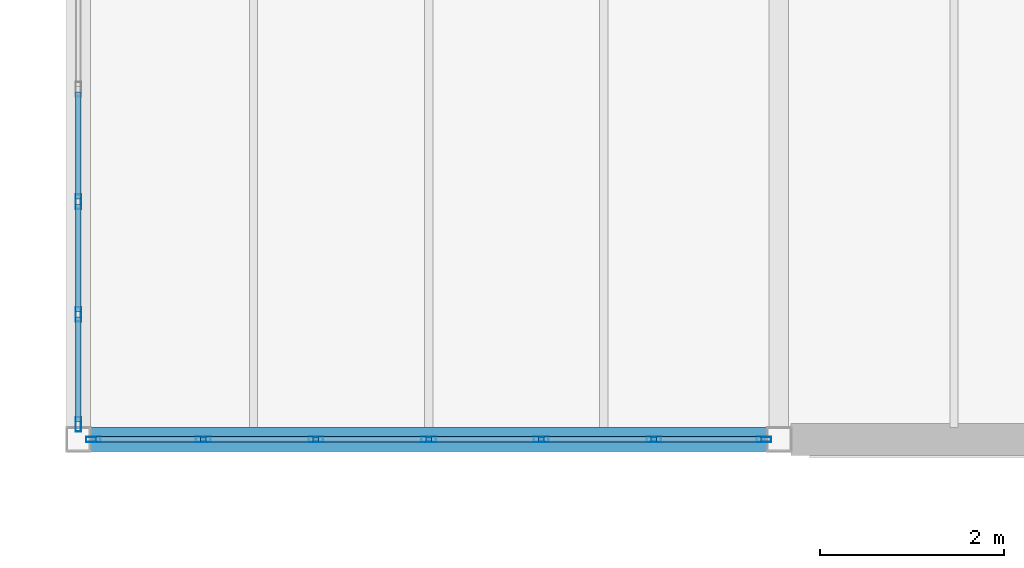
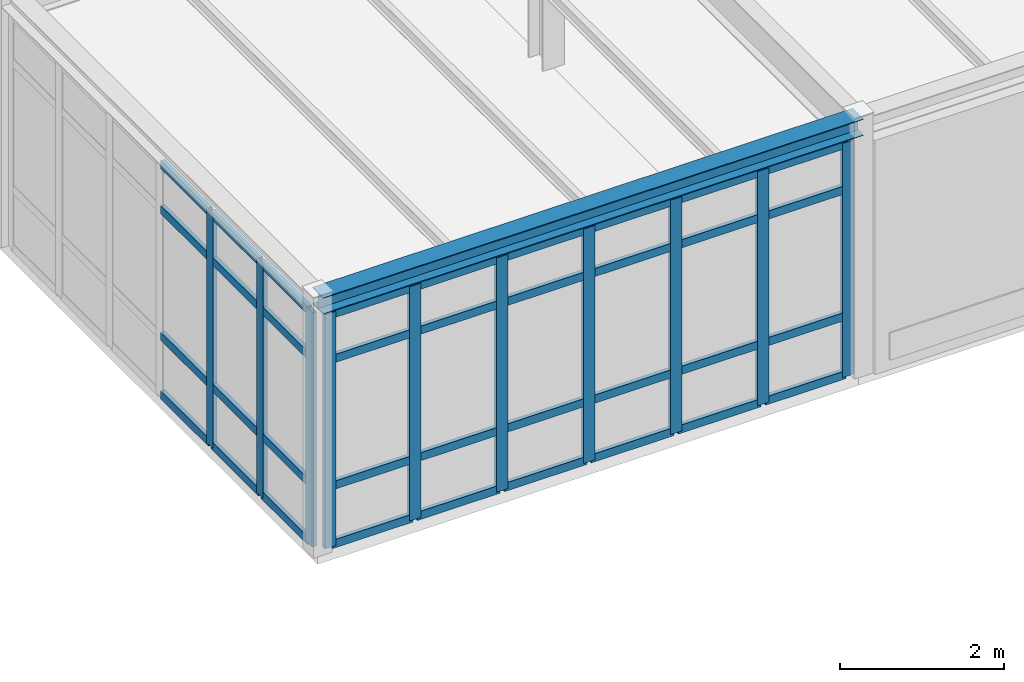
# One storey, part 57 of 189: 46 members, 1 beam, 2 elements without a shape of their own.
"""IFC4 building model written with IfcOpenShell, lengths in metres."""

from ifc_helpers import new_model, si_unit, direction, frame, origin, origin_2d, place, context, subcontext, project, spatial, hollow_rectangle, i_section, extrude, material, layer, layer_set, material_profile, profile_set, type_object, element, aggregate, save


model = new_model("IFC4")

# Units and contexts
model_context = context("Model", 3, precision=1e-05, world=origin(), true_north=direction((0.0, 1.0)))
body_context = subcontext(model_context, "Body", "Model", "MODEL_VIEW")
ifc_project = project(units=[si_unit("LENGTHUNIT", "METRE"), si_unit("AREAUNIT", "SQUARE_METRE"), si_unit("VOLUMEUNIT", "CUBIC_METRE"), si_unit("PLANEANGLEUNIT", "RADIAN"), si_unit("MASSUNIT", "GRAM", prefix="KILO")], contexts=[model_context])

# Site, building, storey
site_placement = place(None, origin())
site = spatial("IfcSite", under=ifc_project, at=site_placement, CompositionType="ELEMENT")
building_placement = place(site_placement, origin())
building = spatial("IfcBuilding", under=site, at=building_placement, Name="Montecoro Central Library", CompositionType="ELEMENT")
storey_placement = place(building_placement, frame((0.0, 0.0, 9.179931640625)))
storey = spatial("IfcBuildingStorey", under=building, at=storey_placement, Name="L02", CompositionType="ELEMENT", Elevation=9.179931640625)

# Beam
ifc_material_1 = material(Name="Steel S355", Category="steel")
ifc_material_profile_1 = material_profile(ifc_material_1, i_section(OverallWidth=0.260009765625, OverallDepth=0.25, WebThickness=0.007568359375, FlangeThickness=0.012451171875, at=origin_2d()), Name="HEA 260")
ifc_profile_set_1 = profile_set([ifc_material_profile_1], Name="Steel S355")
beam_type = type_object("IfcBeamType", Name="BM-SP-HEA260", PredefinedType="SPANDREL", material=ifc_profile_set_1)
beam_placement = place(storey_placement, frame((5.0048828125, 73.39990234375, 3.699951171875), z_axis=(1.0, 0.0, 0.0), x_axis=(0.0, 1.0, 0.0)))
element("IfcBeam", 1, at=beam_placement, inside=storey, type_object=beam_type, Name="V4-L02-BX-12-K", PredefinedType="SPANDREL", context=body_context, shape_type="SweptSolid", body=[
    extrude(i_section(OverallWidth=0.260009765625, OverallDepth=0.25, WebThickness=0.007568359375, FlangeThickness=0.012451171875, at=origin_2d()), origin(), (0.0, 0.0, 1.0), 7.590087890625),
])

# Curtain wall, members
ifc_material_2 = material(Name="Bronze-anodised aluminium and low-E glazing", Category="aluminium")
ifc_layer_1 = layer(ifc_material_2, 0.159912109375)
ifc_layer_set_1 = layer_set([ifc_layer_1], Name="Bronze-anodised aluminium and low-E glazing")
curtain_wall_type_1 = type_object("IfcCurtainWallType", Name="CWT-046", PredefinedType="NOTDEFINED", material=ifc_layer_set_1)
curtain_wall_1_placement = place(storey_placement, origin())
curtain_wall_1 = element("IfcCurtainWall", 2, at=curtain_wall_1_placement, inside=storey, type_object=curtain_wall_type_1, Name="V4-L02-CW-S0", PredefinedType="NOTDEFINED")
ifc_material_3 = material(Name="Bronze-anodised aluminium", Category="aluminium")
ifc_material_profile_2 = material_profile(ifc_material_3, hollow_rectangle(XDim=0.06005859375, YDim=0.159912109375, WallThickness=0.00390625, at=origin_2d()), Name="CWM 160x60x4.0")
ifc_profile_set_2 = profile_set([ifc_material_profile_2], Name="Bronze-anodised aluminium")
member_type_1 = type_object("IfcMemberType", Name="CWM-BRZ-60", PredefinedType="MULLION", material=ifc_profile_set_2)
member_1_placement = place(storey_placement, frame((5.1630859375, 73.39990234375, 0.0), z_axis=(0.0, 0.0, 1.0), x_axis=(0.0, 1.0, 0.0)))
member_1 = element("IfcMember", 3, at=member_1_placement, type_object=member_type_1, Name="CW-046 mullion 1", PredefinedType="MULLION", context=body_context, shape_type="SweptSolid", body=[
    extrude(hollow_rectangle(XDim=0.06005859375, YDim=0.159912109375, WallThickness=0.00390625, at=origin_2d()), origin(), (0.0, 0.0, 1.0), 3.47998046875),
])
member_2_placement = place(storey_placement, frame((6.355224609375, 73.39990234375, 0.0), z_axis=(0.0, 0.0, 1.0), x_axis=(0.0, 1.0, 0.0)))
member_2 = element("IfcMember", 4, at=member_2_placement, type_object=member_type_1, Name="CW-046 mullion 2", PredefinedType="MULLION", context=body_context, shape_type="SweptSolid", body=[
    extrude(hollow_rectangle(XDim=0.06005859375, YDim=0.159912109375, WallThickness=0.00390625, at=origin_2d()), origin(), (0.0, 0.0, 1.0), 3.47998046875),
])
member_3_placement = place(storey_placement, frame((7.57763671875, 73.39990234375, 0.0), z_axis=(0.0, 0.0, 1.0), x_axis=(0.0, 1.0, 0.0)))
member_3 = element("IfcMember", 5, at=member_3_placement, type_object=member_type_1, Name="CW-046 mullion 3", PredefinedType="MULLION", context=body_context, shape_type="SweptSolid", body=[
    extrude(hollow_rectangle(XDim=0.06005859375, YDim=0.159912109375, WallThickness=0.00390625, at=origin_2d()), origin(), (0.0, 0.0, 1.0), 3.47998046875),
])
member_4_placement = place(storey_placement, frame((8.800048828125, 73.39990234375, 0.0), z_axis=(0.0, 0.0, 1.0), x_axis=(0.0, 1.0, 0.0)))
member_4 = element("IfcMember", 6, at=member_4_placement, type_object=member_type_1, Name="CW-046 mullion 4", PredefinedType="MULLION", context=body_context, shape_type="SweptSolid", body=[
    extrude(hollow_rectangle(XDim=0.06005859375, YDim=0.159912109375, WallThickness=0.00390625, at=origin_2d()), origin(), (0.0, 0.0, 1.0), 3.47998046875),
])
member_5_placement = place(storey_placement, frame((10.022216796875, 73.39990234375, 0.0), z_axis=(0.0, 0.0, 1.0), x_axis=(0.0, 1.0, 0.0)))
member_5 = element("IfcMember", 7, at=member_5_placement, type_object=member_type_1, Name="CW-046 mullion 5", PredefinedType="MULLION", context=body_context, shape_type="SweptSolid", body=[
    extrude(hollow_rectangle(XDim=0.06005859375, YDim=0.159912109375, WallThickness=0.00390625, at=origin_2d()), origin(), (0.0, 0.0, 1.0), 3.47998046875),
])
member_6_placement = place(storey_placement, frame((11.24462890625, 73.39990234375, 0.0), z_axis=(0.0, 0.0, 1.0), x_axis=(0.0, 1.0, 0.0)))
member_6 = element("IfcMember", 8, at=member_6_placement, type_object=member_type_1, Name="CW-046 mullion 6", PredefinedType="MULLION", context=body_context, shape_type="SweptSolid", body=[
    extrude(hollow_rectangle(XDim=0.06005859375, YDim=0.159912109375, WallThickness=0.00390625, at=origin_2d()), origin(), (0.0, 0.0, 1.0), 3.47998046875),
])
member_7_placement = place(storey_placement, frame((12.43701171875, 73.39990234375, 0.0), z_axis=(0.0, 0.0, 1.0), x_axis=(0.0, 1.0, 0.0)))
member_7 = element("IfcMember", 9, at=member_7_placement, type_object=member_type_1, Name="CW-046 mullion 7", PredefinedType="MULLION", context=body_context, shape_type="SweptSolid", body=[
    extrude(hollow_rectangle(XDim=0.06005859375, YDim=0.159912109375, WallThickness=0.00390625, at=origin_2d()), origin(), (0.0, 0.0, 1.0), 3.47998046875),
])

ifc_layer_2 = layer(ifc_material_2, 0.159912109375)
ifc_layer_set_2 = layer_set([ifc_layer_2], Name="Bronze-anodised aluminium and low-E glazing")
curtain_wall_type_2 = type_object("IfcCurtainWallType", Name="CWT-049", PredefinedType="NOTDEFINED", material=ifc_layer_set_2)
curtain_wall_2_placement = place(storey_placement, origin())
curtain_wall_2 = element("IfcCurtainWall", 10, at=curtain_wall_2_placement, inside=storey, type_object=curtain_wall_type_2, Name="V4-L02-CW-W0", PredefinedType="NOTDEFINED")
member_8_placement = place(storey_placement, frame((5.0, 75.977783203125, 0.0), z_axis=(0.0, 0.0, 1.0), x_axis=(1.0, 0.0, 0.0)))
member_8 = element("IfcMember", 11, at=member_8_placement, type_object=member_type_1, Name="CW-049 mullion 5", PredefinedType="MULLION", context=body_context, shape_type="SweptSolid", body=[
    extrude(hollow_rectangle(XDim=0.06005859375, YDim=0.159912109375, WallThickness=0.00390625, at=origin_2d()), origin(), (0.0, 0.0, 1.0), 3.47998046875),
])
member_9_placement = place(storey_placement, frame((5.0, 74.75537109375, 0.0), z_axis=(0.0, 0.0, 1.0), x_axis=(1.0, 0.0, 0.0)))
member_9 = element("IfcMember", 12, at=member_9_placement, type_object=member_type_1, Name="CW-049 mullion 6", PredefinedType="MULLION", context=body_context, shape_type="SweptSolid", body=[
    extrude(hollow_rectangle(XDim=0.06005859375, YDim=0.159912109375, WallThickness=0.00390625, at=origin_2d()), origin(), (0.0, 0.0, 1.0), 3.47998046875),
])
member_10_placement = place(storey_placement, frame((5.0, 73.56298828125, 0.0), z_axis=(0.0, 0.0, 1.0), x_axis=(1.0, 0.0, 0.0)))
member_10 = element("IfcMember", 13, at=member_10_placement, type_object=member_type_1, Name="CW-049 mullion 7", PredefinedType="MULLION", context=body_context, shape_type="SweptSolid", body=[
    extrude(hollow_rectangle(XDim=0.06005859375, YDim=0.159912109375, WallThickness=0.00390625, at=origin_2d()), origin(), (0.0, 0.0, 1.0), 3.47998046875),
])

# Member
ifc_material_profile_3 = material_profile(ifc_material_3, hollow_rectangle(XDim=0.06005859375, YDim=0.1201171875, WallThickness=0.00390625, at=origin_2d()), Name="CWT 120x60x4.0")
ifc_profile_set_3 = profile_set([ifc_material_profile_3], Name="Bronze-anodised aluminium")
member_type_2 = type_object("IfcMemberType", Name="CWT-BRZ-60", PredefinedType="USERDEFINED", material=ifc_profile_set_3)
member_11_placement = place(storey_placement, frame((5.193115234375, 73.39990234375, 0.030029296875), z_axis=(1.0, 0.0, 0.0), x_axis=(0.0, 1.0, 0.0)))
member_11 = element("IfcMember", 14, at=member_11_placement, type_object=member_type_2, Name="CW-046 transom 1.1", ObjectType="TRANSOM", PredefinedType="USERDEFINED", context=body_context, shape_type="SweptSolid", body=[
    extrude(hollow_rectangle(XDim=0.06005859375, YDim=0.1201171875, WallThickness=0.00390625, at=origin_2d()), origin(), (0.0, 0.0, 1.0), 1.13232421875),
])

member_12_placement = place(storey_placement, frame((5.193115234375, 73.39990234375, 0.900146484375), z_axis=(1.0, 0.0, 0.0), x_axis=(0.0, 1.0, 0.0)))
member_12 = element("IfcMember", 15, at=member_12_placement, type_object=member_type_2, Name="CW-046 transom 1.2", ObjectType="TRANSOM", PredefinedType="USERDEFINED", context=body_context, shape_type="SweptSolid", body=[
    extrude(hollow_rectangle(XDim=0.06005859375, YDim=0.1201171875, WallThickness=0.00390625, at=origin_2d()), origin(), (0.0, 0.0, 1.0), 1.13232421875),
])

member_13_placement = place(storey_placement, frame((5.193115234375, 73.39990234375, 2.780029296875), z_axis=(1.0, 0.0, 0.0), x_axis=(0.0, 1.0, 0.0)))
member_13 = element("IfcMember", 16, at=member_13_placement, type_object=member_type_2, Name="CW-046 transom 1.3", ObjectType="TRANSOM", PredefinedType="USERDEFINED", context=body_context, shape_type="SweptSolid", body=[
    extrude(hollow_rectangle(XDim=0.06005859375, YDim=0.1201171875, WallThickness=0.00390625, at=origin_2d()), origin(), (0.0, 0.0, 1.0), 1.13232421875),
])

member_14_placement = place(storey_placement, frame((5.193115234375, 73.39990234375, 3.449951171875), z_axis=(1.0, 0.0, 0.0), x_axis=(0.0, 1.0, 0.0)))
member_14 = element("IfcMember", 17, at=member_14_placement, type_object=member_type_2, Name="CW-046 transom 1.4", ObjectType="TRANSOM", PredefinedType="USERDEFINED", context=body_context, shape_type="SweptSolid", body=[
    extrude(hollow_rectangle(XDim=0.06005859375, YDim=0.1201171875, WallThickness=0.00390625, at=origin_2d()), origin(), (0.0, 0.0, 1.0), 1.13232421875),
])

member_15_placement = place(storey_placement, frame((6.38525390625, 73.39990234375, 0.030029296875), z_axis=(1.0, 0.0, 0.0), x_axis=(0.0, 1.0, 0.0)))
member_15 = element("IfcMember", 18, at=member_15_placement, type_object=member_type_2, Name="CW-046 transom 2.1", ObjectType="TRANSOM", PredefinedType="USERDEFINED", context=body_context, shape_type="SweptSolid", body=[
    extrude(hollow_rectangle(XDim=0.06005859375, YDim=0.1201171875, WallThickness=0.00390625, at=origin_2d()), origin(), (0.0, 0.0, 1.0), 1.162353515625),
])

member_16_placement = place(storey_placement, frame((6.38525390625, 73.39990234375, 0.900146484375), z_axis=(1.0, 0.0, 0.0), x_axis=(0.0, 1.0, 0.0)))
member_16 = element("IfcMember", 19, at=member_16_placement, type_object=member_type_2, Name="CW-046 transom 2.2", ObjectType="TRANSOM", PredefinedType="USERDEFINED", context=body_context, shape_type="SweptSolid", body=[
    extrude(hollow_rectangle(XDim=0.06005859375, YDim=0.1201171875, WallThickness=0.00390625, at=origin_2d()), origin(), (0.0, 0.0, 1.0), 1.162353515625),
])

member_17_placement = place(storey_placement, frame((6.38525390625, 73.39990234375, 2.780029296875), z_axis=(1.0, 0.0, 0.0), x_axis=(0.0, 1.0, 0.0)))
member_17 = element("IfcMember", 20, at=member_17_placement, type_object=member_type_2, Name="CW-046 transom 2.3", ObjectType="TRANSOM", PredefinedType="USERDEFINED", context=body_context, shape_type="SweptSolid", body=[
    extrude(hollow_rectangle(XDim=0.06005859375, YDim=0.1201171875, WallThickness=0.00390625, at=origin_2d()), origin(), (0.0, 0.0, 1.0), 1.162353515625),
])

member_18_placement = place(storey_placement, frame((6.38525390625, 73.39990234375, 3.449951171875), z_axis=(1.0, 0.0, 0.0), x_axis=(0.0, 1.0, 0.0)))
member_18 = element("IfcMember", 21, at=member_18_placement, type_object=member_type_2, Name="CW-046 transom 2.4", ObjectType="TRANSOM", PredefinedType="USERDEFINED", context=body_context, shape_type="SweptSolid", body=[
    extrude(hollow_rectangle(XDim=0.06005859375, YDim=0.1201171875, WallThickness=0.00390625, at=origin_2d()), origin(), (0.0, 0.0, 1.0), 1.162353515625),
])

member_19_placement = place(storey_placement, frame((7.607666015625, 73.39990234375, 0.030029296875), z_axis=(1.0, 0.0, 0.0), x_axis=(0.0, 1.0, 0.0)))
member_19 = element("IfcMember", 22, at=member_19_placement, type_object=member_type_2, Name="CW-046 transom 3.1", ObjectType="TRANSOM", PredefinedType="USERDEFINED", context=body_context, shape_type="SweptSolid", body=[
    extrude(hollow_rectangle(XDim=0.06005859375, YDim=0.1201171875, WallThickness=0.00390625, at=origin_2d()), origin(), (0.0, 0.0, 1.0), 1.162353515625),
])

member_20_placement = place(storey_placement, frame((7.607666015625, 73.39990234375, 0.900146484375), z_axis=(1.0, 0.0, 0.0), x_axis=(0.0, 1.0, 0.0)))
member_20 = element("IfcMember", 23, at=member_20_placement, type_object=member_type_2, Name="CW-046 transom 3.2", ObjectType="TRANSOM", PredefinedType="USERDEFINED", context=body_context, shape_type="SweptSolid", body=[
    extrude(hollow_rectangle(XDim=0.06005859375, YDim=0.1201171875, WallThickness=0.00390625, at=origin_2d()), origin(), (0.0, 0.0, 1.0), 1.162353515625),
])

member_21_placement = place(storey_placement, frame((7.607666015625, 73.39990234375, 2.780029296875), z_axis=(1.0, 0.0, 0.0), x_axis=(0.0, 1.0, 0.0)))
member_21 = element("IfcMember", 24, at=member_21_placement, type_object=member_type_2, Name="CW-046 transom 3.3", ObjectType="TRANSOM", PredefinedType="USERDEFINED", context=body_context, shape_type="SweptSolid", body=[
    extrude(hollow_rectangle(XDim=0.06005859375, YDim=0.1201171875, WallThickness=0.00390625, at=origin_2d()), origin(), (0.0, 0.0, 1.0), 1.162353515625),
])

member_22_placement = place(storey_placement, frame((7.607666015625, 73.39990234375, 3.449951171875), z_axis=(1.0, 0.0, 0.0), x_axis=(0.0, 1.0, 0.0)))
member_22 = element("IfcMember", 25, at=member_22_placement, type_object=member_type_2, Name="CW-046 transom 3.4", ObjectType="TRANSOM", PredefinedType="USERDEFINED", context=body_context, shape_type="SweptSolid", body=[
    extrude(hollow_rectangle(XDim=0.06005859375, YDim=0.1201171875, WallThickness=0.00390625, at=origin_2d()), origin(), (0.0, 0.0, 1.0), 1.162353515625),
])

member_23_placement = place(storey_placement, frame((8.830078125, 73.39990234375, 0.030029296875), z_axis=(1.0, 0.0, 0.0), x_axis=(0.0, 1.0, 0.0)))
member_23 = element("IfcMember", 26, at=member_23_placement, type_object=member_type_2, Name="CW-046 transom 4.1", ObjectType="TRANSOM", PredefinedType="USERDEFINED", context=body_context, shape_type="SweptSolid", body=[
    extrude(hollow_rectangle(XDim=0.06005859375, YDim=0.1201171875, WallThickness=0.00390625, at=origin_2d()), origin(), (0.0, 0.0, 1.0), 1.162353515625),
])

member_24_placement = place(storey_placement, frame((8.830078125, 73.39990234375, 0.900146484375), z_axis=(1.0, 0.0, 0.0), x_axis=(0.0, 1.0, 0.0)))
member_24 = element("IfcMember", 27, at=member_24_placement, type_object=member_type_2, Name="CW-046 transom 4.2", ObjectType="TRANSOM", PredefinedType="USERDEFINED", context=body_context, shape_type="SweptSolid", body=[
    extrude(hollow_rectangle(XDim=0.06005859375, YDim=0.1201171875, WallThickness=0.00390625, at=origin_2d()), origin(), (0.0, 0.0, 1.0), 1.162353515625),
])

member_25_placement = place(storey_placement, frame((8.830078125, 73.39990234375, 2.780029296875), z_axis=(1.0, 0.0, 0.0), x_axis=(0.0, 1.0, 0.0)))
member_25 = element("IfcMember", 28, at=member_25_placement, type_object=member_type_2, Name="CW-046 transom 4.3", ObjectType="TRANSOM", PredefinedType="USERDEFINED", context=body_context, shape_type="SweptSolid", body=[
    extrude(hollow_rectangle(XDim=0.06005859375, YDim=0.1201171875, WallThickness=0.00390625, at=origin_2d()), origin(), (0.0, 0.0, 1.0), 1.162353515625),
])

member_26_placement = place(storey_placement, frame((8.830078125, 73.39990234375, 3.449951171875), z_axis=(1.0, 0.0, 0.0), x_axis=(0.0, 1.0, 0.0)))
member_26 = element("IfcMember", 29, at=member_26_placement, type_object=member_type_2, Name="CW-046 transom 4.4", ObjectType="TRANSOM", PredefinedType="USERDEFINED", context=body_context, shape_type="SweptSolid", body=[
    extrude(hollow_rectangle(XDim=0.06005859375, YDim=0.1201171875, WallThickness=0.00390625, at=origin_2d()), origin(), (0.0, 0.0, 1.0), 1.162353515625),
])

member_27_placement = place(storey_placement, frame((10.05224609375, 73.39990234375, 0.030029296875), z_axis=(1.0, 0.0, 0.0), x_axis=(0.0, 1.0, 0.0)))
member_27 = element("IfcMember", 30, at=member_27_placement, type_object=member_type_2, Name="CW-046 transom 5.1", ObjectType="TRANSOM", PredefinedType="USERDEFINED", context=body_context, shape_type="SweptSolid", body=[
    extrude(hollow_rectangle(XDim=0.06005859375, YDim=0.1201171875, WallThickness=0.00390625, at=origin_2d()), origin(), (0.0, 0.0, 1.0), 1.162353515625),
])

member_28_placement = place(storey_placement, frame((10.05224609375, 73.39990234375, 0.900146484375), z_axis=(1.0, 0.0, 0.0), x_axis=(0.0, 1.0, 0.0)))
member_28 = element("IfcMember", 31, at=member_28_placement, type_object=member_type_2, Name="CW-046 transom 5.2", ObjectType="TRANSOM", PredefinedType="USERDEFINED", context=body_context, shape_type="SweptSolid", body=[
    extrude(hollow_rectangle(XDim=0.06005859375, YDim=0.1201171875, WallThickness=0.00390625, at=origin_2d()), origin(), (0.0, 0.0, 1.0), 1.162353515625),
])

member_29_placement = place(storey_placement, frame((10.05224609375, 73.39990234375, 2.780029296875), z_axis=(1.0, 0.0, 0.0), x_axis=(0.0, 1.0, 0.0)))
member_29 = element("IfcMember", 32, at=member_29_placement, type_object=member_type_2, Name="CW-046 transom 5.3", ObjectType="TRANSOM", PredefinedType="USERDEFINED", context=body_context, shape_type="SweptSolid", body=[
    extrude(hollow_rectangle(XDim=0.06005859375, YDim=0.1201171875, WallThickness=0.00390625, at=origin_2d()), origin(), (0.0, 0.0, 1.0), 1.162353515625),
])

member_30_placement = place(storey_placement, frame((10.05224609375, 73.39990234375, 3.449951171875), z_axis=(1.0, 0.0, 0.0), x_axis=(0.0, 1.0, 0.0)))
member_30 = element("IfcMember", 33, at=member_30_placement, type_object=member_type_2, Name="CW-046 transom 5.4", ObjectType="TRANSOM", PredefinedType="USERDEFINED", context=body_context, shape_type="SweptSolid", body=[
    extrude(hollow_rectangle(XDim=0.06005859375, YDim=0.1201171875, WallThickness=0.00390625, at=origin_2d()), origin(), (0.0, 0.0, 1.0), 1.162353515625),
])

member_31_placement = place(storey_placement, frame((11.274658203125, 73.39990234375, 0.030029296875), z_axis=(1.0, 0.0, 0.0), x_axis=(0.0, 1.0, 0.0)))
member_31 = element("IfcMember", 34, at=member_31_placement, type_object=member_type_2, Name="CW-046 transom 6.1", ObjectType="TRANSOM", PredefinedType="USERDEFINED", context=body_context, shape_type="SweptSolid", body=[
    extrude(hollow_rectangle(XDim=0.06005859375, YDim=0.1201171875, WallThickness=0.00390625, at=origin_2d()), origin(), (0.0, 0.0, 1.0), 1.13232421875),
])

member_32_placement = place(storey_placement, frame((11.274658203125, 73.39990234375, 0.900146484375), z_axis=(1.0, 0.0, 0.0), x_axis=(0.0, 1.0, 0.0)))
member_32 = element("IfcMember", 35, at=member_32_placement, type_object=member_type_2, Name="CW-046 transom 6.2", ObjectType="TRANSOM", PredefinedType="USERDEFINED", context=body_context, shape_type="SweptSolid", body=[
    extrude(hollow_rectangle(XDim=0.06005859375, YDim=0.1201171875, WallThickness=0.00390625, at=origin_2d()), origin(), (0.0, 0.0, 1.0), 1.13232421875),
])

member_33_placement = place(storey_placement, frame((11.274658203125, 73.39990234375, 2.780029296875), z_axis=(1.0, 0.0, 0.0), x_axis=(0.0, 1.0, 0.0)))
member_33 = element("IfcMember", 36, at=member_33_placement, type_object=member_type_2, Name="CW-046 transom 6.3", ObjectType="TRANSOM", PredefinedType="USERDEFINED", context=body_context, shape_type="SweptSolid", body=[
    extrude(hollow_rectangle(XDim=0.06005859375, YDim=0.1201171875, WallThickness=0.00390625, at=origin_2d()), origin(), (0.0, 0.0, 1.0), 1.13232421875),
])

member_34_placement = place(storey_placement, frame((11.274658203125, 73.39990234375, 3.449951171875), z_axis=(1.0, 0.0, 0.0), x_axis=(0.0, 1.0, 0.0)))
member_34 = element("IfcMember", 37, at=member_34_placement, type_object=member_type_2, Name="CW-046 transom 6.4", ObjectType="TRANSOM", PredefinedType="USERDEFINED", context=body_context, shape_type="SweptSolid", body=[
    extrude(hollow_rectangle(XDim=0.06005859375, YDim=0.1201171875, WallThickness=0.00390625, at=origin_2d()), origin(), (0.0, 0.0, 1.0), 1.13232421875),
])

aggregate(curtain_wall_1, [member_1, member_2, member_3, member_4, member_5, member_6, member_7, member_11, member_12, member_13, member_14, member_15, member_16, member_17, member_18, member_19, member_20, member_21, member_22, member_23, member_24, member_25, member_26, member_27, member_28, member_29, member_30, member_31, member_32, member_33, member_34])

member_35_placement = place(storey_placement, frame((5.0, 77.169921875, 0.030029296875), z_axis=(0.0, -1.0, 0.0), x_axis=(1.0, 0.0, 0.0)))
member_35 = element("IfcMember", 38, at=member_35_placement, type_object=member_type_2, Name="CW-049 transom 4.1", ObjectType="TRANSOM", PredefinedType="USERDEFINED", context=body_context, shape_type="SweptSolid", body=[
    extrude(hollow_rectangle(XDim=0.06005859375, YDim=0.1201171875, WallThickness=0.00390625, at=origin_2d()), origin(), (0.0, 0.0, 1.0), 1.162353515625),
])

member_36_placement = place(storey_placement, frame((5.0, 77.169921875, 0.900146484375), z_axis=(0.0, -1.0, 0.0), x_axis=(1.0, 0.0, 0.0)))
member_36 = element("IfcMember", 39, at=member_36_placement, type_object=member_type_2, Name="CW-049 transom 4.2", ObjectType="TRANSOM", PredefinedType="USERDEFINED", context=body_context, shape_type="SweptSolid", body=[
    extrude(hollow_rectangle(XDim=0.06005859375, YDim=0.1201171875, WallThickness=0.00390625, at=origin_2d()), origin(), (0.0, 0.0, 1.0), 1.162353515625),
])

member_37_placement = place(storey_placement, frame((5.0, 77.169921875, 2.780029296875), z_axis=(0.0, -1.0, 0.0), x_axis=(1.0, 0.0, 0.0)))
member_37 = element("IfcMember", 40, at=member_37_placement, type_object=member_type_2, Name="CW-049 transom 4.3", ObjectType="TRANSOM", PredefinedType="USERDEFINED", context=body_context, shape_type="SweptSolid", body=[
    extrude(hollow_rectangle(XDim=0.06005859375, YDim=0.1201171875, WallThickness=0.00390625, at=origin_2d()), origin(), (0.0, 0.0, 1.0), 1.162353515625),
])

member_38_placement = place(storey_placement, frame((5.0, 77.169921875, 3.449951171875), z_axis=(0.0, -1.0, 0.0), x_axis=(1.0, 0.0, 0.0)))
member_38 = element("IfcMember", 41, at=member_38_placement, type_object=member_type_2, Name="CW-049 transom 4.4", ObjectType="TRANSOM", PredefinedType="USERDEFINED", context=body_context, shape_type="SweptSolid", body=[
    extrude(hollow_rectangle(XDim=0.06005859375, YDim=0.1201171875, WallThickness=0.00390625, at=origin_2d()), origin(), (0.0, 0.0, 1.0), 1.162353515625),
])

member_39_placement = place(storey_placement, frame((5.0, 75.94775390625, 0.030029296875), z_axis=(0.0, -1.0, 0.0), x_axis=(1.0, 0.0, 0.0)))
member_39 = element("IfcMember", 42, at=member_39_placement, type_object=member_type_2, Name="CW-049 transom 5.1", ObjectType="TRANSOM", PredefinedType="USERDEFINED", context=body_context, shape_type="SweptSolid", body=[
    extrude(hollow_rectangle(XDim=0.06005859375, YDim=0.1201171875, WallThickness=0.00390625, at=origin_2d()), origin(), (0.0, 0.0, 1.0), 1.162353515625),
])

member_40_placement = place(storey_placement, frame((5.0, 75.94775390625, 0.900146484375), z_axis=(0.0, -1.0, 0.0), x_axis=(1.0, 0.0, 0.0)))
member_40 = element("IfcMember", 43, at=member_40_placement, type_object=member_type_2, Name="CW-049 transom 5.2", ObjectType="TRANSOM", PredefinedType="USERDEFINED", context=body_context, shape_type="SweptSolid", body=[
    extrude(hollow_rectangle(XDim=0.06005859375, YDim=0.1201171875, WallThickness=0.00390625, at=origin_2d()), origin(), (0.0, 0.0, 1.0), 1.162353515625),
])

member_41_placement = place(storey_placement, frame((5.0, 75.94775390625, 2.780029296875), z_axis=(0.0, -1.0, 0.0), x_axis=(1.0, 0.0, 0.0)))
member_41 = element("IfcMember", 44, at=member_41_placement, type_object=member_type_2, Name="CW-049 transom 5.3", ObjectType="TRANSOM", PredefinedType="USERDEFINED", context=body_context, shape_type="SweptSolid", body=[
    extrude(hollow_rectangle(XDim=0.06005859375, YDim=0.1201171875, WallThickness=0.00390625, at=origin_2d()), origin(), (0.0, 0.0, 1.0), 1.162353515625),
])

member_42_placement = place(storey_placement, frame((5.0, 75.94775390625, 3.449951171875), z_axis=(0.0, -1.0, 0.0), x_axis=(1.0, 0.0, 0.0)))
member_42 = element("IfcMember", 45, at=member_42_placement, type_object=member_type_2, Name="CW-049 transom 5.4", ObjectType="TRANSOM", PredefinedType="USERDEFINED", context=body_context, shape_type="SweptSolid", body=[
    extrude(hollow_rectangle(XDim=0.06005859375, YDim=0.1201171875, WallThickness=0.00390625, at=origin_2d()), origin(), (0.0, 0.0, 1.0), 1.162353515625),
])

member_43_placement = place(storey_placement, frame((5.0, 74.725341796875, 0.030029296875), z_axis=(0.0, -1.0, 0.0), x_axis=(1.0, 0.0, 0.0)))
member_43 = element("IfcMember", 46, at=member_43_placement, type_object=member_type_2, Name="CW-049 transom 6.1", ObjectType="TRANSOM", PredefinedType="USERDEFINED", context=body_context, shape_type="SweptSolid", body=[
    extrude(hollow_rectangle(XDim=0.06005859375, YDim=0.1201171875, WallThickness=0.00390625, at=origin_2d()), origin(), (0.0, 0.0, 1.0), 1.13232421875),
])

member_44_placement = place(storey_placement, frame((5.0, 74.725341796875, 0.900146484375), z_axis=(0.0, -1.0, 0.0), x_axis=(1.0, 0.0, 0.0)))
member_44 = element("IfcMember", 47, at=member_44_placement, type_object=member_type_2, Name="CW-049 transom 6.2", ObjectType="TRANSOM", PredefinedType="USERDEFINED", context=body_context, shape_type="SweptSolid", body=[
    extrude(hollow_rectangle(XDim=0.06005859375, YDim=0.1201171875, WallThickness=0.00390625, at=origin_2d()), origin(), (0.0, 0.0, 1.0), 1.13232421875),
])

member_45_placement = place(storey_placement, frame((5.0, 74.725341796875, 2.780029296875), z_axis=(0.0, -1.0, 0.0), x_axis=(1.0, 0.0, 0.0)))
member_45 = element("IfcMember", 48, at=member_45_placement, type_object=member_type_2, Name="CW-049 transom 6.3", ObjectType="TRANSOM", PredefinedType="USERDEFINED", context=body_context, shape_type="SweptSolid", body=[
    extrude(hollow_rectangle(XDim=0.06005859375, YDim=0.1201171875, WallThickness=0.00390625, at=origin_2d()), origin(), (0.0, 0.0, 1.0), 1.13232421875),
])

member_46_placement = place(storey_placement, frame((5.0, 74.725341796875, 3.449951171875), z_axis=(0.0, -1.0, 0.0), x_axis=(1.0, 0.0, 0.0)))
member_46 = element("IfcMember", 49, at=member_46_placement, type_object=member_type_2, Name="CW-049 transom 6.4", ObjectType="TRANSOM", PredefinedType="USERDEFINED", context=body_context, shape_type="SweptSolid", body=[
    extrude(hollow_rectangle(XDim=0.06005859375, YDim=0.1201171875, WallThickness=0.00390625, at=origin_2d()), origin(), (0.0, 0.0, 1.0), 1.13232421875),
])

aggregate(curtain_wall_2, [member_8, member_9, member_10, member_35, member_36, member_37, member_38, member_39, member_40, member_41, member_42, member_43, member_44, member_45, member_46])

save(model, "model.ifc")
